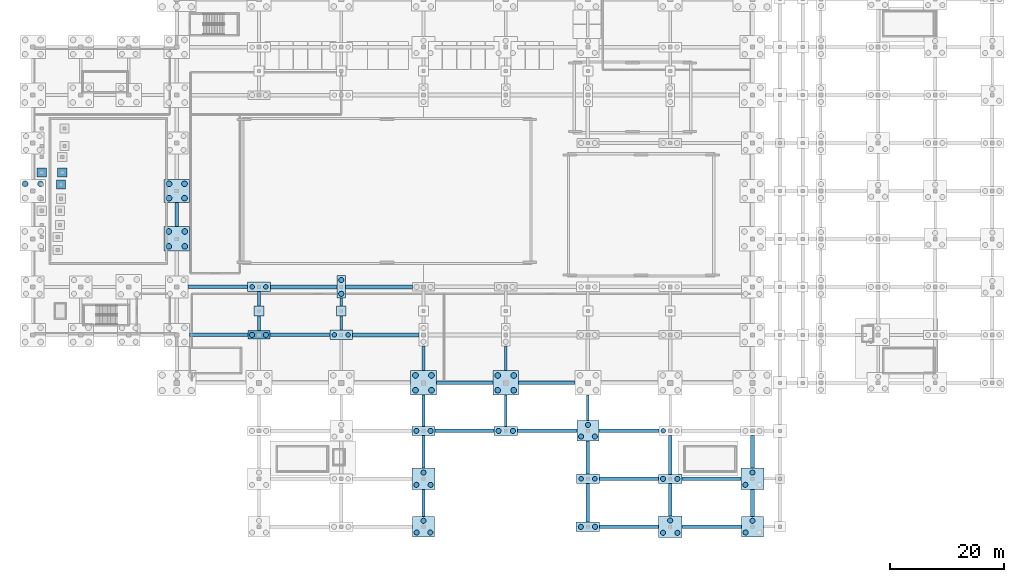
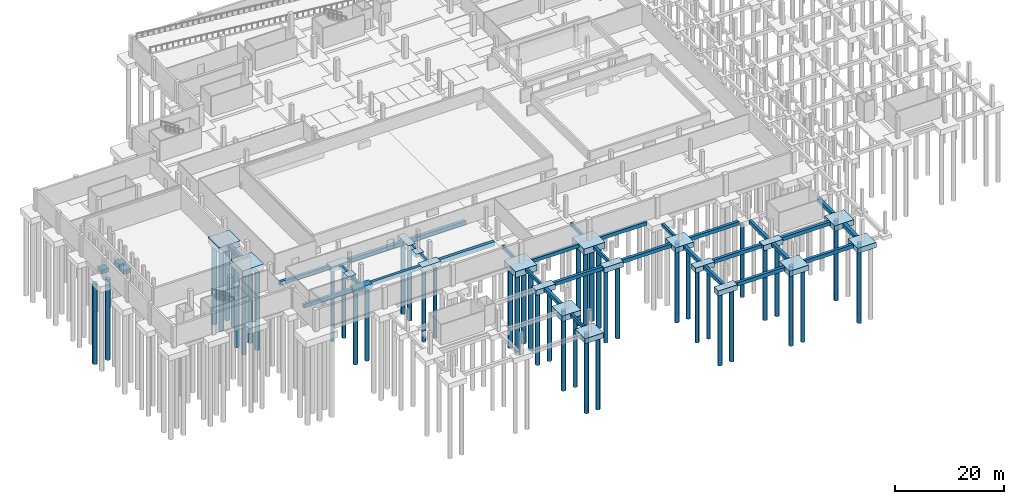
# One storey, part 2 of 26: 57 footings, 53 piles.
"""IFC4 building model written with IfcOpenShell, lengths in metres."""

from ifc_helpers import new_model, si_unit, direction, frame, origin, origin_2d, place, context, subcontext, project, spatial, rectangle, circle, extrude, material, material_profile, profile_set, type_object, element, save


model = new_model("IFC4")

# Units and contexts
model_context = context("Model", 3, precision=1e-05, world=origin(), true_north=direction((0.0, 1.0)))
body_context = subcontext(model_context, "Body", "Model", "MODEL_VIEW")
ifc_project = project(units=[si_unit("LENGTHUNIT", "METRE"), si_unit("AREAUNIT", "SQUARE_METRE"), si_unit("VOLUMEUNIT", "CUBIC_METRE"), si_unit("PLANEANGLEUNIT", "RADIAN"), si_unit("MASSUNIT", "GRAM", prefix="KILO"), si_unit("THERMODYNAMICTEMPERATUREUNIT", "KELVIN")], contexts=[model_context])

# Site, building, storey
site_placement = place(None, origin())
site = spatial("IfcSite", under=ifc_project, at=site_placement, CompositionType="ELEMENT")
building_placement = place(site_placement, origin())
building = spatial("IfcBuilding", under=site, at=building_placement, Name="Nduvali Passage Aquatics Centre", CompositionType="ELEMENT")
storey_placement = place(building_placement, frame((0.0, 0.0, -4.800048828125)))
storey = spatial("IfcBuildingStorey", under=building, at=storey_placement, Name="B01", CompositionType="ELEMENT", Elevation=-4.800048828125)

# Footings
ifc_material = material(Name="Concrete C40/50", Category="concrete")
footing_type_1 = type_object("IfcFootingType", Name="STR-GB-1", PredefinedType="FOOTING_BEAM", material=ifc_material)
footing_1_placement = place(storey_placement, frame((104.41259765625, 0.0, -0.7998046875), z_axis=(0.0, 0.0, 1.0), x_axis=(1.0, 0.0, 0.0)))
element("IfcFooting", 1, at=footing_1_placement, inside=storey, type_object=footing_type_1, Name="Ground Beam X-0003", PredefinedType="FOOTING_BEAM", context=body_context, shape_type="SweptSolid", body=[
    extrude(rectangle(XDim=10.324951171875, YDim=0.60009765625, at=origin_2d()), origin(), (0.0, 0.0, 1.0), 0.800048828125),
])
footing_2_placement = place(storey_placement, frame((118.83740234375, 0.0, -0.7998046875), z_axis=(0.0, 0.0, 1.0), x_axis=(1.0, 0.0, 0.0)))
element("IfcFooting", 2, at=footing_2_placement, inside=storey, type_object=footing_type_1, Name="Ground Beam X-0004", PredefinedType="FOOTING_BEAM", context=body_context, shape_type="SweptSolid", body=[
    extrude(rectangle(XDim=10.425048828125, YDim=0.60009765625, at=origin_2d()), origin(), (0.0, 0.0, 1.0), 0.800048828125),
])
footing_3_placement = place(storey_placement, frame((104.375, 8.39990234375, -0.7998046875), z_axis=(0.0, 0.0, 1.0), x_axis=(1.0, 0.0, 0.0)))
element("IfcFooting", 3, at=footing_3_placement, inside=storey, type_object=footing_type_1, Name="Ground Beam X-0008", PredefinedType="FOOTING_BEAM", context=body_context, shape_type="SweptSolid", body=[
    extrude(rectangle(XDim=10.35009765625, YDim=0.60009765625, at=origin_2d()), origin(), (0.0, 0.0, 1.0), 0.800048828125),
])
footing_4_placement = place(storey_placement, frame((118.8125, 8.39990234375, -0.7998046875), z_axis=(0.0, 0.0, 1.0), x_axis=(1.0, 0.0, 0.0)))
element("IfcFooting", 4, at=footing_4_placement, inside=storey, type_object=footing_type_1, Name="Ground Beam X-0009", PredefinedType="FOOTING_BEAM", context=body_context, shape_type="SweptSolid", body=[
    extrude(rectangle(XDim=10.324951171875, YDim=0.60009765625, at=origin_2d()), origin(), (0.0, 0.0, 1.0), 0.800048828125),
])
footing_5_placement = place(storey_placement, frame((75.60009765625, 16.800048828125, -0.7998046875), z_axis=(0.0, 0.0, 1.0), x_axis=(1.0, 0.0, 0.0)))
element("IfcFooting", 5, at=footing_5_placement, inside=storey, type_object=footing_type_1, Name="Ground Beam X-0013", PredefinedType="FOOTING_BEAM", context=body_context, shape_type="SweptSolid", body=[
    extrude(rectangle(XDim=10.300048828125, YDim=0.60009765625, at=origin_2d()), origin(), (0.0, 0.0, 1.0), 0.800048828125),
])
footing_6_placement = place(storey_placement, frame((90.050048828125, 16.800048828125, -0.7998046875), z_axis=(0.0, 0.0, 1.0), x_axis=(1.0, 0.0, 0.0)))
element("IfcFooting", 6, at=footing_6_placement, inside=storey, type_object=footing_type_1, Name="Ground Beam X-0014", PredefinedType="FOOTING_BEAM", context=body_context, shape_type="SweptSolid", body=[
    extrude(rectangle(XDim=10.39990234375, YDim=0.60009765625, at=origin_2d()), origin(), (0.0, 0.0, 1.0), 0.800048828125),
])
footing_7_placement = place(storey_placement, frame((104.375, 16.800048828125, -0.7998046875), z_axis=(0.0, 0.0, 1.0), x_axis=(1.0, 0.0, 0.0)))
element("IfcFooting", 7, at=footing_7_placement, inside=storey, type_object=footing_type_1, Name="Ground Beam X-0015", PredefinedType="FOOTING_BEAM", context=body_context, shape_type="SweptSolid", body=[
    extrude(rectangle(XDim=10.449951171875, YDim=0.60009765625, at=origin_2d()), origin(), (0.0, 0.0, 1.0), 0.800048828125),
])
for number, where, z_axis, x_axis, name in (
    (8, (75.60009765625, 25.199951171875, -0.7998046875), (0.0, 0.0, 1.0), (1.0, 0.0, 0.0), "Ground Beam X-0021"),
    (9, (90.0, 25.199951171875, -0.7998046875), (0.0, 0.0, 1.0), (1.0, 0.0, 0.0), "Ground Beam X-0022"),
):
    element("IfcFooting", number, at=place(storey_placement, frame(where, z_axis=z_axis, x_axis=x_axis)), inside=storey, type_object=footing_type_1, Name=name, PredefinedType="FOOTING_BEAM", context=body_context, shape_type="SweptSolid", body=[
        extrude(rectangle(XDim=9.89990234375, YDim=0.60009765625, at=origin_2d()), origin(), (0.0, 0.0, 1.0), 0.800048828125),
    ])
footing_8_placement = place(storey_placement, frame((32.52490234375, 33.60009765625, -0.7998046875), z_axis=(0.0, 0.0, 1.0), x_axis=(1.0, 0.0, 0.0)))
element("IfcFooting", 10, at=footing_8_placement, inside=storey, type_object=footing_type_1, Name="Ground Beam X-0033", PredefinedType="FOOTING_BEAM", context=body_context, shape_type="SweptSolid", body=[
    extrude(rectangle(XDim=10.25, YDim=0.60009765625, at=origin_2d()), origin(), (0.0, 0.0, 1.0), 0.800048828125),
])
for number, where, z_axis, x_axis, name in (
    (11, (46.77490234375, 33.60009765625, -0.7998046875), (0.0, 0.0, 1.0), (1.0, 0.0, 0.0), "Ground Beam X-0034"),
    (12, (32.375, 42.0, -0.7998046875), (0.0, 0.0, 1.0), (1.0, 0.0, 0.0), "Ground Beam X-0049"),
):
    element("IfcFooting", number, at=place(storey_placement, frame(where, z_axis=z_axis, x_axis=x_axis)), inside=storey, type_object=footing_type_1, Name=name, PredefinedType="FOOTING_BEAM", context=body_context, shape_type="SweptSolid", body=[
        extrude(rectangle(XDim=10.449951171875, YDim=0.60009765625, at=origin_2d()), origin(), (0.0, 0.0, 1.0), 0.800048828125),
    ])
footing_9_placement = place(storey_placement, frame((68.39990234375, 13.137451171875, -0.7998046875), z_axis=(0.0, 0.0, 1.0), x_axis=(0.0, 1.0, 0.0)))
element("IfcFooting", 13, at=footing_9_placement, inside=storey, type_object=footing_type_1, Name="Ground Beam Y-0190", PredefinedType="FOOTING_BEAM", context=body_context, shape_type="SweptSolid", body=[
    extrude(rectangle(XDim=5.72509765625, YDim=0.60009765625, at=origin_2d()), origin(), (0.0, 0.0, 1.0), 0.800048828125),
])
footing_10_placement = place(storey_placement, frame((97.199951171875, 4.1875, -0.7998046875), z_axis=(0.0, 0.0, 1.0), x_axis=(0.0, 1.0, 0.0)))
element("IfcFooting", 14, at=footing_10_placement, inside=storey, type_object=footing_type_1, Name="Ground Beam Y-0211", PredefinedType="FOOTING_BEAM", context=body_context, shape_type="SweptSolid", body=[
    extrude(rectangle(XDim=6.77490234375, YDim=0.60009765625, at=origin_2d()), origin(), (0.0, 0.0, 1.0), 0.800048828125),
])
footing_11_placement = place(storey_placement, frame((97.199951171875, 12.112548828125, -0.7998046875), z_axis=(0.0, 0.0, 1.0), x_axis=(0.0, 1.0, 0.0)))
element("IfcFooting", 15, at=footing_11_placement, inside=storey, type_object=footing_type_1, Name="Ground Beam Y-0212", PredefinedType="FOOTING_BEAM", context=body_context, shape_type="SweptSolid", body=[
    extrude(rectangle(XDim=5.77490234375, YDim=0.60009765625, at=origin_2d()), origin(), (0.0, 0.0, 1.0), 0.800048828125),
])
footing_12_placement = place(storey_placement, frame((111.60009765625, 4.737548828125, -0.7998046875), z_axis=(0.0, 0.0, 1.0), x_axis=(0.0, 1.0, 0.0)))
element("IfcFooting", 16, at=footing_12_placement, inside=storey, type_object=footing_type_1, Name="Ground Beam Y-0224", PredefinedType="FOOTING_BEAM", context=body_context, shape_type="SweptSolid", body=[
    extrude(rectangle(XDim=5.72509765625, YDim=0.60009765625, at=origin_2d()), origin(), (0.0, 0.0, 1.0), 0.800048828125),
])
footing_13_placement = place(storey_placement, frame((111.60009765625, 12.58740234375, -0.7998046875), z_axis=(0.0, 0.0, 1.0), x_axis=(0.0, 1.0, 0.0)))
element("IfcFooting", 17, at=footing_13_placement, inside=storey, type_object=footing_type_1, Name="Ground Beam Y-0225", PredefinedType="FOOTING_BEAM", context=body_context, shape_type="SweptSolid", body=[
    extrude(rectangle(XDim=6.77490234375, YDim=0.60009765625, at=origin_2d()), origin(), (0.0, 0.0, 1.0), 0.800048828125),
])
footing_type_2 = type_object("IfcFootingType", Name="STR-GB-3", PredefinedType="FOOTING_BEAM", material=ifc_material)
footing_14_placement = place(storey_placement, frame((25.199951171875, 54.675048828125, -0.89990234375), z_axis=(0.0, 0.0, 1.0), x_axis=(0.0, 1.0, 0.0)))
element("IfcFooting", 18, at=footing_14_placement, inside=storey, type_object=footing_type_2, Name="Ground Beam Y-0160", PredefinedType="FOOTING_BEAM", context=body_context, shape_type="SweptSolid", body=[
    extrude(rectangle(XDim=4.25, YDim=0.64990234375, at=origin_2d()), origin(), (0.0, 0.0, 1.0), 0.89990234375),
])
footing_15_placement = place(storey_placement, frame((126.0, 4.16259765625, -0.89990234375), z_axis=(0.0, 0.0, 1.0), x_axis=(0.0, 1.0, 0.0)))
element("IfcFooting", 19, at=footing_15_placement, inside=storey, type_object=footing_type_2, Name="Ground Beam Y-0237", PredefinedType="FOOTING_BEAM", context=body_context, shape_type="SweptSolid", body=[
    extrude(rectangle(XDim=4.72509765625, YDim=0.64990234375, at=origin_2d()), origin(), (0.0, 0.0, 1.0), 0.89990234375),
])
footing_16_placement = place(storey_placement, frame((126.0, 13.137451171875, -0.89990234375), z_axis=(0.0, 0.0, 1.0), x_axis=(0.0, 1.0, 0.0)))
element("IfcFooting", 20, at=footing_16_placement, inside=storey, type_object=footing_type_2, Name="Ground Beam Y-0238", PredefinedType="FOOTING_BEAM", context=body_context, shape_type="SweptSolid", body=[
    extrude(rectangle(XDim=5.72509765625, YDim=0.64990234375, at=origin_2d()), origin(), (0.0, 0.0, 1.0), 0.89990234375),
])
footing_type_3 = type_object("IfcFootingType", Name="STR-GB-5", PredefinedType="FOOTING_BEAM", material=ifc_material)
for number, where, z_axis, x_axis, name in (
    (21, (61.8125, 33.60009765625, -0.94970703125), (0.0, 0.0, 1.0), (1.0, 0.0, 0.0), "Ground Beam X-0035"),
    (22, (47.41259765625, 42.0, -0.94970703125), (0.0, 0.0, 1.0), (1.0, 0.0, 0.0), "Ground Beam X-0050"),
):
    element("IfcFooting", number, at=place(storey_placement, frame(where, z_axis=z_axis, x_axis=x_axis)), inside=storey, type_object=footing_type_3, Name=name, PredefinedType="FOOTING_BEAM", context=body_context, shape_type="SweptSolid", body=[
        extrude(rectangle(XDim=11.625, YDim=0.699951171875, at=origin_2d()), origin(), (0.0, 0.0, 1.0), 0.949951171875),
    ])
footing_17_placement = place(storey_placement, frame((60.612548828125, 42.0, -0.94970703125), z_axis=(0.0, 0.0, 1.0), x_axis=(1.0, 0.0, 0.0)))
element("IfcFooting", 23, at=footing_17_placement, inside=storey, type_object=footing_type_3, Name="Ground Beam X-0051", PredefinedType="FOOTING_BEAM", context=body_context, shape_type="SweptSolid", body=[
    extrude(rectangle(XDim=11.675048828125, YDim=0.699951171875, at=origin_2d()), origin(), (0.0, 0.0, 1.0), 0.949951171875),
])
footing_type_4 = type_object("IfcFootingType", Name="STR-GB-6", PredefinedType="FOOTING_BEAM", material=ifc_material)
footing_18_placement = place(storey_placement, frame((39.60009765625, 35.64990234375, -0.69970703125), z_axis=(0.0, 0.0, 1.0), x_axis=(0.0, 1.0, 0.0)))
element("IfcFooting", 24, at=footing_18_placement, inside=storey, type_object=footing_type_4, Name="Ground Beam Y-0169", PredefinedType="FOOTING_BEAM", context=body_context, shape_type="SweptSolid", body=[
    extrude(rectangle(XDim=2.60009765625, YDim=0.449951171875, at=origin_2d()), origin(), (0.0, 0.0, 1.0), 0.699951171875),
])
for number, where, z_axis, x_axis, name in (
    (25, (39.60009765625, 39.91259765625, -0.69970703125), (0.0, 0.0, 1.0), (0.0, 1.0, 0.0), "Ground Beam Y-0170"),
    (26, (54.0, 35.6875, -0.69970703125), (0.0, 0.0, 1.0), (0.0, 1.0, 0.0), "Ground Beam Y-0181"),
):
    element("IfcFooting", number, at=place(storey_placement, frame(where, z_axis=z_axis, x_axis=x_axis)), inside=storey, type_object=footing_type_4, Name=name, PredefinedType="FOOTING_BEAM", context=body_context, shape_type="SweptSolid", body=[
        extrude(rectangle(XDim=2.52490234375, YDim=0.449951171875, at=origin_2d()), origin(), (0.0, 0.0, 1.0), 0.699951171875),
    ])
footing_19_placement = place(storey_placement, frame((54.0, 39.33740234375, -0.69970703125), z_axis=(0.0, 0.0, 1.0), x_axis=(0.0, 1.0, 0.0)))
element("IfcFooting", 27, at=footing_19_placement, inside=storey, type_object=footing_type_4, Name="Ground Beam Y-0182", PredefinedType="FOOTING_BEAM", context=body_context, shape_type="SweptSolid", body=[
    extrude(rectangle(XDim=1.375, YDim=0.449951171875, at=origin_2d()), origin(), (0.0, 0.0, 1.0), 0.699951171875),
])
footing_20_placement = place(storey_placement, frame((68.39990234375, 4.16259765625, -0.69970703125), z_axis=(0.0, 0.0, 1.0), x_axis=(0.0, 1.0, 0.0)))
element("IfcFooting", 28, at=footing_20_placement, inside=storey, type_object=footing_type_4, Name="Ground Beam Y-0189", PredefinedType="FOOTING_BEAM", context=body_context, shape_type="SweptSolid", body=[
    extrude(rectangle(XDim=4.72509765625, YDim=0.449951171875, at=origin_2d()), origin(), (0.0, 0.0, 1.0), 0.699951171875),
])
footing_21_placement = place(storey_placement, frame((68.39990234375, 20.324951171875, -0.69970703125), z_axis=(0.0, 0.0, 1.0), x_axis=(0.0, 1.0, 0.0)))
element("IfcFooting", 29, at=footing_21_placement, inside=storey, type_object=footing_type_4, Name="Ground Beam Y-0191", PredefinedType="FOOTING_BEAM", context=body_context, shape_type="SweptSolid", body=[
    extrude(rectangle(XDim=5.449951171875, YDim=0.449951171875, at=origin_2d()), origin(), (0.0, 0.0, 1.0), 0.699951171875),
])
footing_22_placement = place(storey_placement, frame((68.39990234375, 29.487548828125, -0.69970703125), z_axis=(0.0, 0.0, 1.0), x_axis=(0.0, 1.0, 0.0)))
element("IfcFooting", 30, at=footing_22_placement, inside=storey, type_object=footing_type_4, Name="Ground Beam Y-0192", PredefinedType="FOOTING_BEAM", context=body_context, shape_type="SweptSolid", body=[
    extrude(rectangle(XDim=4.27490234375, YDim=0.449951171875, at=origin_2d()), origin(), (0.0, 0.0, 1.0), 0.699951171875),
])
footing_23_placement = place(storey_placement, frame((82.800048828125, 20.324951171875, -0.69970703125), z_axis=(0.0, 0.0, 1.0), x_axis=(0.0, 1.0, 0.0)))
element("IfcFooting", 31, at=footing_23_placement, inside=storey, type_object=footing_type_4, Name="Ground Beam Y-0201", PredefinedType="FOOTING_BEAM", context=body_context, shape_type="SweptSolid", body=[
    extrude(rectangle(XDim=5.449951171875, YDim=0.449951171875, at=origin_2d()), origin(), (0.0, 0.0, 1.0), 0.699951171875),
])
footing_24_placement = place(storey_placement, frame((82.800048828125, 29.487548828125, -0.69970703125), z_axis=(0.0, 0.0, 1.0), x_axis=(0.0, 1.0, 0.0)))
element("IfcFooting", 32, at=footing_24_placement, inside=storey, type_object=footing_type_4, Name="Ground Beam Y-0202", PredefinedType="FOOTING_BEAM", context=body_context, shape_type="SweptSolid", body=[
    extrude(rectangle(XDim=4.27490234375, YDim=0.449951171875, at=origin_2d()), origin(), (0.0, 0.0, 1.0), 0.699951171875),
])
footing_25_placement = place(storey_placement, frame((97.199951171875, 20.824951171875, -0.69970703125), z_axis=(0.0, 0.0, 1.0), x_axis=(0.0, 1.0, 0.0)))
element("IfcFooting", 33, at=footing_25_placement, inside=storey, type_object=footing_type_4, Name="Ground Beam Y-0213", PredefinedType="FOOTING_BEAM", context=body_context, shape_type="SweptSolid", body=[
    extrude(rectangle(XDim=4.449951171875, YDim=0.449951171875, at=origin_2d()), origin(), (0.0, 0.0, 1.0), 0.699951171875),
])
footing_type_5 = type_object("IfcFootingType", Name="STR-PC-2A", PredefinedType="PILE_CAP", material=ifc_material)
footing_26_placement = place(storey_placement, frame((39.60009765625, 33.60009765625, -1.10009765625), z_axis=(0.0, 0.0, 1.0), x_axis=(1.0, 0.0, 0.0)))
element("IfcFooting", 34, at=footing_26_placement, inside=storey, type_object=footing_type_5, Name="Pile Cap PC2A at (39.6, 33.6)", PredefinedType="PILE_CAP", context=body_context, shape_type="SweptSolid", body=[
    extrude(rectangle(XDim=3.89990234375, YDim=1.5, at=origin_2d()), origin(), (0.0, 0.0, 1.0), 1.10009765625),
])
footing_type_6 = type_object("IfcFootingType", Name="STR-PC-2B", PredefinedType="PILE_CAP", material=ifc_material)
footing_27_placement = place(storey_placement, frame((54.0, 42.0, -1.10009765625), z_axis=(0.0, 0.0, 1.0), x_axis=(1.0, 0.0, 0.0)))
element("IfcFooting", 35, at=footing_27_placement, inside=storey, type_object=footing_type_6, Name="Pile Cap PC2B at (54.0, 42.0)", PredefinedType="PILE_CAP", context=body_context, shape_type="SweptSolid", body=[
    extrude(rectangle(XDim=1.550048828125, YDim=3.949951171875, at=origin_2d()), origin(), (0.0, 0.0, 1.0), 1.10009765625),
])
footing_type_7 = type_object("IfcFootingType", Name="STR-PC-2C", PredefinedType="PILE_CAP", material=ifc_material)
for number, where, z_axis, x_axis, name in (
    (36, (68.39990234375, 16.800048828125, -1.14990234375), (0.0, 0.0, 1.0), (1.0, 0.0, 0.0), "Pile Cap PC2C at (68.4, 16.8)"),
    (37, (82.800048828125, 16.800048828125, -1.14990234375), (0.0, 0.0, 1.0), (1.0, 0.0, 0.0), "Pile Cap PC2C at (82.8, 16.8)"),
    (38, (97.199951171875, 0.0, -1.14990234375), (0.0, 0.0, 1.0), (1.0, 0.0, 0.0), "Pile Cap PC2C at (97.2, 0.0)"),
    (39, (111.60009765625, 8.39990234375, -1.14990234375), (0.0, 0.0, 1.0), (1.0, 0.0, 0.0), "Pile Cap PC2C at (111.6, 8.4)"),
):
    element("IfcFooting", number, at=place(storey_placement, frame(where, z_axis=z_axis, x_axis=x_axis)), inside=storey, type_object=footing_type_7, Name=name, PredefinedType="PILE_CAP", context=body_context, shape_type="SweptSolid", body=[
        extrude(rectangle(XDim=4.10009765625, YDim=1.60009765625, at=origin_2d()), origin(), (0.0, 0.0, 1.0), 1.14990234375),
    ])
footing_type_8 = type_object("IfcFootingType", Name="STR-PC-2D", PredefinedType="PILE_CAP", material=ifc_material)
for number, where, z_axis, x_axis, name in (
    (40, (39.60009765625, 42.0, -1.1201171875), (0.0, 0.0, 1.0), (1.0, 0.0, 0.0), "Pile Cap PC2D at (39.6, 42.0)"),
    (41, (54.0, 33.60009765625, -1.1201171875), (0.0, 0.0, 1.0), (1.0, 0.0, 0.0), "Pile Cap PC2D at (54.0, 33.6)"),
    (42, (97.199951171875, 8.39990234375, -1.1201171875), (0.0, 0.0, 1.0), (1.0, 0.0, 0.0), "Pile Cap PC2D at (97.2, 8.4)"),
):
    element("IfcFooting", number, at=place(storey_placement, frame(where, z_axis=z_axis, x_axis=x_axis)), inside=storey, type_object=footing_type_8, Name=name, PredefinedType="PILE_CAP", context=body_context, shape_type="SweptSolid", body=[
        extrude(rectangle(XDim=4.0, YDim=1.64990234375, at=origin_2d()), origin(), (0.0, 0.0, 1.0), 1.1201171875),
    ])
footing_type_9 = type_object("IfcFootingType", Name="STR-PC-3A", PredefinedType="PILE_CAP", material=ifc_material)
for number, where, z_axis, x_axis, name in (
    (43, (68.39990234375, 0.0, -1.14990234375), (0.0, 0.0, 1.0), (1.0, 0.0, 0.0), "Pile Cap PC3A at (68.4, 0.0)"),
    (44, (97.199951171875, 16.800048828125, -1.14990234375), (0.0, 0.0, 1.0), (1.0, 0.0, 0.0), "Pile Cap PC3A at (97.2, 16.8)"),
    (45, (126.0, 0.0, -1.14990234375), (0.0, 0.0, 1.0), (1.0, 0.0, 0.0), "Pile Cap PC3A at (126.0, 0.0)"),
):
    element("IfcFooting", number, at=place(storey_placement, frame(where, z_axis=z_axis, x_axis=x_axis)), inside=storey, type_object=footing_type_9, Name=name, PredefinedType="PILE_CAP", context=body_context, shape_type="SweptSolid", body=[
        extrude(rectangle(XDim=3.89990234375, YDim=3.60009765625, at=origin_2d()), origin(), (0.0, 0.0, 1.0), 1.14990234375),
    ])
footing_type_10 = type_object("IfcFootingType", Name="STR-PC-3B", PredefinedType="PILE_CAP", material=ifc_material)
for number, where, z_axis, x_axis, name in (
    (46, (68.39990234375, 8.39990234375, -1.19970703125), (0.0, 0.0, 1.0), (1.0, 0.0, 0.0), "Pile Cap PC3B at (68.4, 8.4)"),
    (47, (111.60009765625, 0.0, -1.19970703125), (0.0, 0.0, 1.0), (1.0, 0.0, 0.0), "Pile Cap PC3B at (111.6, 0.0)"),
    (48, (126.0, 8.39990234375, -1.19970703125), (0.0, 0.0, 1.0), (1.0, 0.0, 0.0), "Pile Cap PC3B at (126.0, 8.4)"),
):
    element("IfcFooting", number, at=place(storey_placement, frame(where, z_axis=z_axis, x_axis=x_axis)), inside=storey, type_object=footing_type_10, Name=name, PredefinedType="PILE_CAP", context=body_context, shape_type="SweptSolid", body=[
        extrude(rectangle(XDim=4.050048828125, YDim=3.75, at=origin_2d()), origin(), (0.0, 0.0, 1.0), 1.199951171875),
    ])
footing_type_11 = type_object("IfcFootingType", Name="STR-PC-4C", PredefinedType="PILE_CAP", material=ifc_material)
footing_28_placement = place(storey_placement, frame((25.199951171875, 58.800048828125, -1.2998046875), z_axis=(0.0, 0.0, 1.0), x_axis=(1.0, 0.0, 0.0)))
element("IfcFooting", 49, at=footing_28_placement, inside=storey, type_object=footing_type_11, Name="Pile Cap PC4C at (25.2, 58.8)", PredefinedType="PILE_CAP", context=body_context, shape_type="SweptSolid", body=[
    extrude(rectangle(XDim=4.39990234375, YDim=4.0, at=origin_2d()), origin(), (0.0, 0.0, 1.0), 1.300048828125),
])
footing_type_12 = type_object("IfcFootingType", Name="STR-PC-4D", PredefinedType="PILE_CAP", material=ifc_material)
for number, where, z_axis, x_axis, name in (
    (50, (25.199951171875, 50.39990234375, -1.35009765625), (0.0, 0.0, 1.0), (1.0, 0.0, 0.0), "Pile Cap PC4D at (25.2, 50.4)"),
    (51, (68.39990234375, 25.199951171875, -1.35009765625), (0.0, 0.0, 1.0), (1.0, 0.0, 0.0), "Pile Cap PC4D at (68.4, 25.2)"),
    (52, (82.800048828125, 25.199951171875, -1.35009765625), (0.0, 0.0, 1.0), (1.0, 0.0, 0.0), "Pile Cap PC4D at (82.8, 25.2)"),
):
    element("IfcFooting", number, at=place(storey_placement, frame(where, z_axis=z_axis, x_axis=x_axis)), inside=storey, type_object=footing_type_12, Name=name, PredefinedType="PILE_CAP", context=body_context, shape_type="SweptSolid", body=[
        extrude(rectangle(XDim=4.5, YDim=4.300048828125, at=origin_2d()), origin(), (0.0, 0.0, 1.0), 1.35009765625),
    ])
footing_type_13 = type_object("IfcFootingType", Name="STR-PF-8", PredefinedType="PAD_FOOTING", material=ifc_material)
for number, where, z_axis, x_axis, name in (
    (53, (39.60009765625, 37.800048828125, -0.7998046875), (0.0, 0.0, 1.0), (1.0, 0.0, 0.0), "Pad Footing PF8 at (39.6, 37.8)"),
    (54, (54.0, 37.800048828125, -0.7998046875), (0.0, 0.0, 1.0), (1.0, 0.0, 0.0), "Pad Footing PF8 at (54.0, 37.8)"),
):
    element("IfcFooting", number, at=place(storey_placement, frame(where, z_axis=z_axis, x_axis=x_axis)), inside=storey, type_object=footing_type_13, Name=name, PredefinedType="PAD_FOOTING", context=body_context, shape_type="SweptSolid", body=[
        extrude(rectangle(XDim=1.699951171875, YDim=1.699951171875, at=origin_2d()), origin(), (0.0, 0.0, 1.0), 0.800048828125),
    ])
footing_type_14 = type_object("IfcFootingType", Name="STR-PF-DIVE", PredefinedType="PAD_FOOTING", material=ifc_material)
for number, where, z_axis, x_axis, name in (
    (55, (1.550048828125, 62.050048828125, -0.85009765625), (0.0, 0.0, 1.0), (1.0, 0.0, 0.0), "Pad Footing PF5 at (1.6, 62.0)"),
    (56, (4.949951171875, 59.949951171875, -0.85009765625), (0.0, 0.0, 1.0), (1.0, 0.0, 0.0), "Pad Footing PF5 at (5.0, 60.0)"),
    (57, (5.14990234375, 62.050048828125, -0.85009765625), (0.0, 0.0, 1.0), (1.0, 0.0, 0.0), "Pad Footing PF5 at (5.2, 62.0)"),
):
    element("IfcFooting", number, at=place(storey_placement, frame(where, z_axis=z_axis, x_axis=x_axis)), inside=storey, type_object=footing_type_14, Name=name, PredefinedType="PAD_FOOTING", context=body_context, shape_type="SweptSolid", body=[
        extrude(rectangle(XDim=1.60009765625, YDim=1.60009765625, at=origin_2d()), origin(), (0.0, 0.0, 1.0), 0.85009765625),
    ])

# Piles
ifc_material_profile_1 = material_profile(ifc_material, circle(Radius=0.5, at=origin_2d()), Name="PILE D1000")
ifc_profile_set_1 = profile_set([ifc_material_profile_1], Name="Concrete C40/50")
pile_type_1 = type_object("IfcPileType", Name="STR-PILE-D1000", PredefinedType="BORED", material=ifc_profile_set_1)
for number, where, z_axis, x_axis, name in (
    (58, (-1.35009765625, 60.050048828125, -1.199951171875), (0.0, 0.0, -1.0), (1.0, 0.0, 0.0), "Bored Pile 003-3"),
    (59, (1.35009765625, 60.050048828125, -1.199951171875), (0.0, 0.0, -1.0), (1.0, 0.0, 0.0), "Bored Pile 003-4"),
):
    element("IfcPile", number, at=place(storey_placement, frame(where, z_axis=z_axis, x_axis=x_axis)), inside=storey, type_object=pile_type_1, Name=name, PredefinedType="BORED", context=body_context, shape_type="SweptSolid", body=[
        extrude(circle(Radius=0.5, at=origin_2d()), origin(), (0.0, 0.0, 1.0), 18.0),
    ])
for number, where, z_axis, x_axis, name in (
    (60, (23.800048828125, 49.10009765625, -1.25), (0.0, 0.0, -1.0), (1.0, 0.0, 0.0), "Bored Pile 038-1"),
    (61, (26.60009765625, 49.10009765625, -1.25), (0.0, 0.0, -1.0), (1.0, 0.0, 0.0), "Bored Pile 038-2"),
    (62, (23.800048828125, 51.699951171875, -1.25), (0.0, 0.0, -1.0), (1.0, 0.0, 0.0), "Bored Pile 038-3"),
    (63, (26.60009765625, 51.699951171875, -1.25), (0.0, 0.0, -1.0), (1.0, 0.0, 0.0), "Bored Pile 038-4"),
):
    element("IfcPile", number, at=place(storey_placement, frame(where, z_axis=z_axis, x_axis=x_axis)), inside=storey, type_object=pile_type_1, Name=name, PredefinedType="BORED", context=body_context, shape_type="SweptSolid", body=[
        extrude(circle(Radius=0.5, at=origin_2d()), origin(), (0.0, 0.0, 1.0), 17.949951171875),
    ])
for number, where, z_axis, x_axis, name in (
    (64, (23.85009765625, 57.550048828125, -1.199951171875), (0.0, 0.0, -1.0), (1.0, 0.0, 0.0), "Bored Pile 039-1"),
    (65, (26.550048828125, 57.550048828125, -1.199951171875), (0.0, 0.0, -1.0), (1.0, 0.0, 0.0), "Bored Pile 039-2"),
    (66, (23.85009765625, 60.050048828125, -1.199951171875), (0.0, 0.0, -1.0), (1.0, 0.0, 0.0), "Bored Pile 039-3"),
    (67, (26.550048828125, 60.050048828125, -1.199951171875), (0.0, 0.0, -1.0), (1.0, 0.0, 0.0), "Bored Pile 039-4"),
):
    element("IfcPile", number, at=place(storey_placement, frame(where, z_axis=z_axis, x_axis=x_axis)), inside=storey, type_object=pile_type_1, Name=name, PredefinedType="BORED", context=body_context, shape_type="SweptSolid", body=[
        extrude(circle(Radius=0.5, at=origin_2d()), origin(), (0.0, 0.0, 1.0), 18.0),
    ])
for number, where, z_axis, x_axis, name in (
    (68, (67.0, 23.89990234375, -1.25), (0.0, 0.0, -1.0), (1.0, 0.0, 0.0), "Bored Pile 075-1"),
    (69, (69.800048828125, 23.89990234375, -1.25), (0.0, 0.0, -1.0), (1.0, 0.0, 0.0), "Bored Pile 075-2"),
    (70, (67.0, 26.5, -1.25), (0.0, 0.0, -1.0), (1.0, 0.0, 0.0), "Bored Pile 075-3"),
    (71, (69.800048828125, 26.5, -1.25), (0.0, 0.0, -1.0), (1.0, 0.0, 0.0), "Bored Pile 075-4"),
    (72, (81.39990234375, 23.89990234375, -1.25), (0.0, 0.0, -1.0), (1.0, 0.0, 0.0), "Bored Pile 087-1"),
    (73, (84.199951171875, 23.89990234375, -1.25), (0.0, 0.0, -1.0), (1.0, 0.0, 0.0), "Bored Pile 087-2"),
    (74, (81.39990234375, 26.5, -1.25), (0.0, 0.0, -1.0), (1.0, 0.0, 0.0), "Bored Pile 087-3"),
    (75, (84.199951171875, 26.5, -1.25), (0.0, 0.0, -1.0), (1.0, 0.0, 0.0), "Bored Pile 087-4"),
):
    element("IfcPile", number, at=place(storey_placement, frame(where, z_axis=z_axis, x_axis=x_axis)), inside=storey, type_object=pile_type_1, Name=name, PredefinedType="BORED", context=body_context, shape_type="SweptSolid", body=[
        extrude(circle(Radius=0.5, at=origin_2d()), origin(), (0.0, 0.0, 1.0), 17.949951171875),
    ])
ifc_material_profile_2 = material_profile(ifc_material, circle(Radius=0.39990234375, at=origin_2d()), Name="PILE D800")
ifc_profile_set_2 = profile_set([ifc_material_profile_2], Name="Concrete C40/50")
pile_type_2 = type_object("IfcPileType", Name="STR-PILE-D800", PredefinedType="BORED", material=ifc_profile_set_2)
for number, where, z_axis, x_axis, name in (
    (76, (38.39990234375, 42.0, -1.02001953125), (0.0, 0.0, -1.0), (1.0, 0.0, 0.0), "Bored Pile 050-1"),
    (77, (40.800048828125, 42.0, -1.02001953125), (0.0, 0.0, -1.0), (1.0, 0.0, 0.0), "Bored Pile 050-2"),
    (78, (52.800048828125, 33.60009765625, -1.02001953125), (0.0, 0.0, -1.0), (1.0, 0.0, 0.0), "Bored Pile 062-1"),
    (79, (55.199951171875, 33.60009765625, -1.02001953125), (0.0, 0.0, -1.0), (1.0, 0.0, 0.0), "Bored Pile 062-2"),
    (80, (96.0, 8.39990234375, -1.02001953125), (0.0, 0.0, -1.0), (1.0, 0.0, 0.0), "Bored Pile 099-1"),
    (81, (98.39990234375, 8.39990234375, -1.02001953125), (0.0, 0.0, -1.0), (1.0, 0.0, 0.0), "Bored Pile 099-2"),
    (82, (110.39990234375, 16.800048828125, -1.02001953125), (0.0, 0.0, -1.0), (1.0, 0.0, 0.0), "Bored Pile 115-1"),
):
    element("IfcPile", number, at=place(storey_placement, frame(where, z_axis=z_axis, x_axis=x_axis)), inside=storey, type_object=pile_type_2, Name=name, PredefinedType="BORED", context=body_context, shape_type="SweptSolid", body=[
        extrude(circle(Radius=0.39990234375, at=origin_2d()), origin(), (0.0, 0.0, 1.0), 16.179931640625),
    ])
ifc_material_profile_3 = material_profile(ifc_material, circle(Radius=0.449951171875, at=origin_2d()), Name="PILE D900")
ifc_profile_set_3 = profile_set([ifc_material_profile_3], Name="Concrete C40/50")
pile_type_3 = type_object("IfcPileType", Name="STR-PILE-D900", PredefinedType="BORED", material=ifc_profile_set_3)
for number, where, z_axis, x_axis, name in (
    (83, (38.39990234375, 33.60009765625, -1.0), (0.0, 0.0, -1.0), (1.0, 0.0, 0.0), "Bored Pile 048-1"),
    (84, (40.800048828125, 33.60009765625, -1.0), (0.0, 0.0, -1.0), (1.0, 0.0, 0.0), "Bored Pile 048-2"),
    (85, (54.0, 40.800048828125, -1.0), (0.0, 0.0, -1.0), (1.0, 0.0, 0.0), "Bored Pile 064-1"),
    (86, (54.0, 43.199951171875, -1.0), (0.0, 0.0, -1.0), (1.0, 0.0, 0.0), "Bored Pile 064-2"),
):
    element("IfcPile", number, at=place(storey_placement, frame(where, z_axis=z_axis, x_axis=x_axis)), inside=storey, type_object=pile_type_3, Name=name, PredefinedType="BORED", context=body_context, shape_type="SweptSolid", body=[
        extrude(circle(Radius=0.449951171875, at=origin_2d()), origin(), (0.0, 0.0, 1.0), 16.199951171875),
    ])
for number, where, z_axis, x_axis, name in (
    (87, (67.199951171875, -1.0, -1.050048828125), (0.0, 0.0, -1.0), (1.0, 0.0, 0.0), "Bored Pile 072-1"),
    (88, (69.60009765625, -1.0, -1.050048828125), (0.0, 0.0, -1.0), (1.0, 0.0, 0.0), "Bored Pile 072-2"),
    (89, (68.39990234375, 1.050048828125, -1.050048828125), (0.0, 0.0, -1.0), (1.0, 0.0, 0.0), "Bored Pile 072-3"),
):
    element("IfcPile", number, at=place(storey_placement, frame(where, z_axis=z_axis, x_axis=x_axis)), inside=storey, type_object=pile_type_3, Name=name, PredefinedType="BORED", context=body_context, shape_type="SweptSolid", body=[
        extrude(circle(Radius=0.449951171875, at=origin_2d()), origin(), (0.0, 0.0, 1.0), 16.14990234375),
    ])
for number, where, z_axis, x_axis, name in (
    (90, (67.14990234375, 7.35009765625, -1.099853515625), (0.0, 0.0, -1.0), (1.0, 0.0, 0.0), "Bored Pile 073-1"),
    (91, (69.64990234375, 7.35009765625, -1.099853515625), (0.0, 0.0, -1.0), (1.0, 0.0, 0.0), "Bored Pile 073-2"),
    (92, (68.39990234375, 9.5, -1.099853515625), (0.0, 0.0, -1.0), (1.0, 0.0, 0.0), "Bored Pile 073-3"),
):
    element("IfcPile", number, at=place(storey_placement, frame(where, z_axis=z_axis, x_axis=x_axis)), inside=storey, type_object=pile_type_3, Name=name, PredefinedType="BORED", context=body_context, shape_type="SweptSolid", body=[
        extrude(circle(Radius=0.449951171875, at=origin_2d()), origin(), (0.0, 0.0, 1.0), 16.10009765625),
    ])
for number, where, z_axis, x_axis, name in (
    (93, (67.14990234375, 16.800048828125, -1.050048828125), (0.0, 0.0, -1.0), (1.0, 0.0, 0.0), "Bored Pile 074-1"),
    (94, (69.64990234375, 16.800048828125, -1.050048828125), (0.0, 0.0, -1.0), (1.0, 0.0, 0.0), "Bored Pile 074-2"),
    (95, (81.550048828125, 16.800048828125, -1.050048828125), (0.0, 0.0, -1.0), (1.0, 0.0, 0.0), "Bored Pile 086-1"),
    (96, (84.050048828125, 16.800048828125, -1.050048828125), (0.0, 0.0, -1.0), (1.0, 0.0, 0.0), "Bored Pile 086-2"),
    (97, (95.949951171875, 0.0, -1.050048828125), (0.0, 0.0, -1.0), (1.0, 0.0, 0.0), "Bored Pile 098-1"),
    (98, (98.449951171875, 0.0, -1.050048828125), (0.0, 0.0, -1.0), (1.0, 0.0, 0.0), "Bored Pile 098-2"),
    (99, (96.0, 15.800048828125, -1.050048828125), (0.0, 0.0, -1.0), (1.0, 0.0, 0.0), "Bored Pile 100-1"),
    (100, (98.39990234375, 15.800048828125, -1.050048828125), (0.0, 0.0, -1.0), (1.0, 0.0, 0.0), "Bored Pile 100-2"),
    (101, (97.199951171875, 17.85009765625, -1.050048828125), (0.0, 0.0, -1.0), (1.0, 0.0, 0.0), "Bored Pile 100-3"),
):
    element("IfcPile", number, at=place(storey_placement, frame(where, z_axis=z_axis, x_axis=x_axis)), inside=storey, type_object=pile_type_3, Name=name, PredefinedType="BORED", context=body_context, shape_type="SweptSolid", body=[
        extrude(circle(Radius=0.449951171875, at=origin_2d()), origin(), (0.0, 0.0, 1.0), 16.14990234375),
    ])
for number, where, z_axis, x_axis, name in (
    (102, (110.35009765625, -1.050048828125, -1.099853515625), (0.0, 0.0, -1.0), (1.0, 0.0, 0.0), "Bored Pile 113-1"),
    (103, (112.85009765625, -1.050048828125, -1.099853515625), (0.0, 0.0, -1.0), (1.0, 0.0, 0.0), "Bored Pile 113-2"),
    (104, (111.60009765625, 1.10009765625, -1.099853515625), (0.0, 0.0, -1.0), (1.0, 0.0, 0.0), "Bored Pile 113-3"),
):
    element("IfcPile", number, at=place(storey_placement, frame(where, z_axis=z_axis, x_axis=x_axis)), inside=storey, type_object=pile_type_3, Name=name, PredefinedType="BORED", context=body_context, shape_type="SweptSolid", body=[
        extrude(circle(Radius=0.449951171875, at=origin_2d()), origin(), (0.0, 0.0, 1.0), 16.10009765625),
    ])
for number, where, z_axis, x_axis, name in (
    (105, (110.35009765625, 8.39990234375, -1.050048828125), (0.0, 0.0, -1.0), (1.0, 0.0, 0.0), "Bored Pile 114-1"),
    (106, (112.85009765625, 8.39990234375, -1.050048828125), (0.0, 0.0, -1.0), (1.0, 0.0, 0.0), "Bored Pile 114-2"),
    (107, (124.800048828125, -1.0, -1.050048828125), (0.0, 0.0, -1.0), (1.0, 0.0, 0.0), "Bored Pile 128-1"),
    (108, (126.0, 1.050048828125, -1.050048828125), (0.0, 0.0, -1.0), (1.0, 0.0, 0.0), "Bored Pile 128-3"),
):
    element("IfcPile", number, at=place(storey_placement, frame(where, z_axis=z_axis, x_axis=x_axis)), inside=storey, type_object=pile_type_3, Name=name, PredefinedType="BORED", context=body_context, shape_type="SweptSolid", body=[
        extrude(circle(Radius=0.449951171875, at=origin_2d()), origin(), (0.0, 0.0, 1.0), 16.14990234375),
    ])
for number, where, z_axis, x_axis, name in (
    (109, (124.75, 7.35009765625, -1.099853515625), (0.0, 0.0, -1.0), (1.0, 0.0, 0.0), "Bored Pile 129-1"),
    (110, (126.0, 9.5, -1.099853515625), (0.0, 0.0, -1.0), (1.0, 0.0, 0.0), "Bored Pile 129-3"),
):
    element("IfcPile", number, at=place(storey_placement, frame(where, z_axis=z_axis, x_axis=x_axis)), inside=storey, type_object=pile_type_3, Name=name, PredefinedType="BORED", context=body_context, shape_type="SweptSolid", body=[
        extrude(circle(Radius=0.449951171875, at=origin_2d()), origin(), (0.0, 0.0, 1.0), 16.10009765625),
    ])

save(model, "model.ifc")
